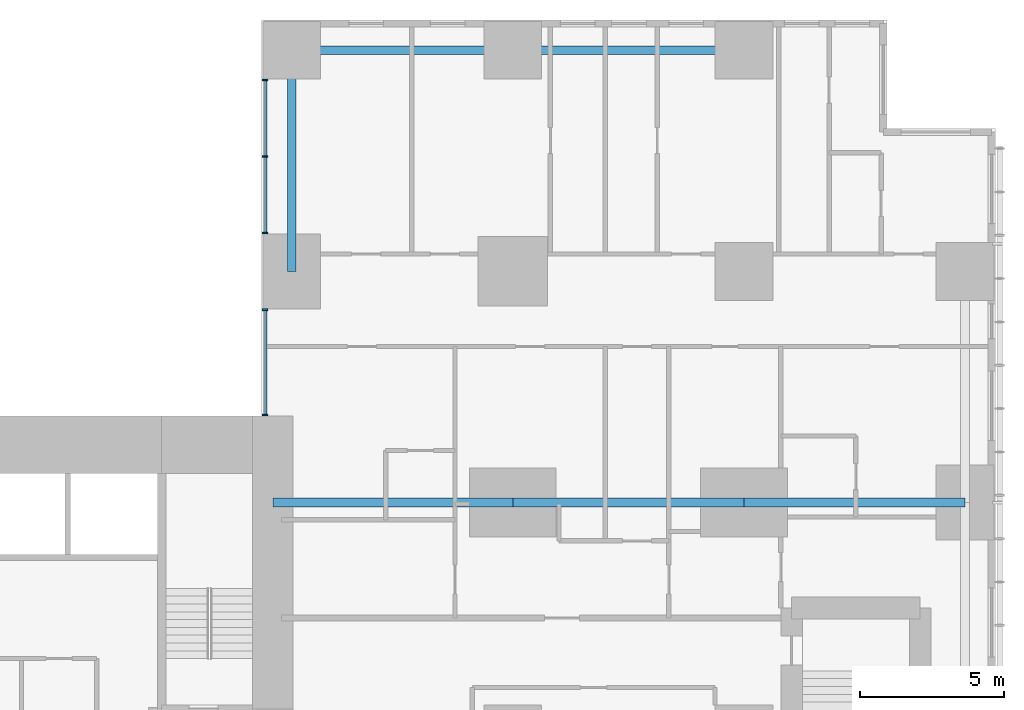
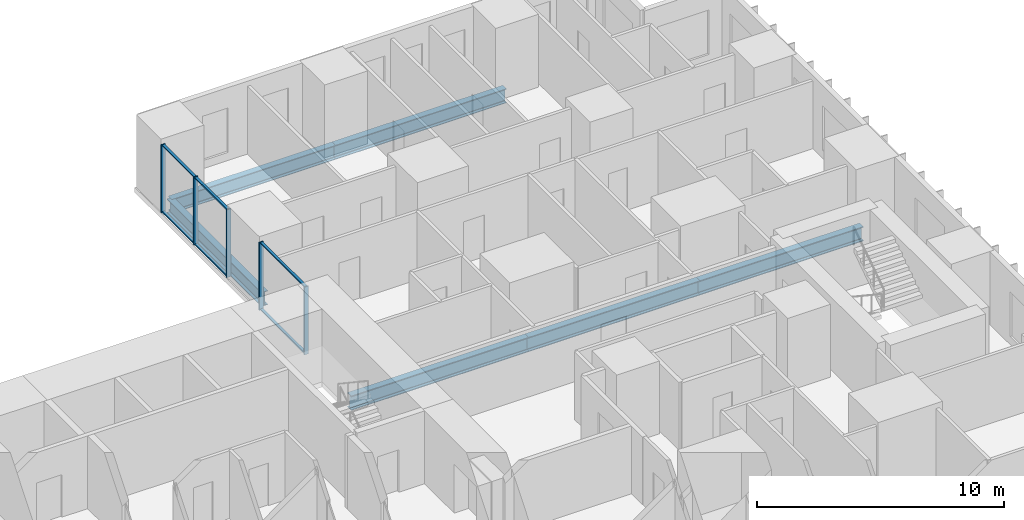
# One storey, part 5 of 20: 11 members, 6 beams, 2 elements without a shape of their own.
"""IFC4 building model written with IfcOpenShell, lengths in metres."""

from ifc_helpers import new_model, si_unit, direction, frame, origin, origin_2d, place, context, subcontext, project, spatial, rectangle, i_section, extrude, material, layer, layer_set, material_profile, profile_set, type_object, element, aggregate, save


model = new_model("IFC4")

# Units and contexts
model_context = context("Model", 3, precision=1e-05, world=origin(), true_north=direction((0.0, 1.0)))
body_context = subcontext(model_context, "Body", "Model", "MODEL_VIEW")
ifc_project = project(units=[si_unit("LENGTHUNIT", "METRE"), si_unit("AREAUNIT", "SQUARE_METRE"), si_unit("VOLUMEUNIT", "CUBIC_METRE"), si_unit("PLANEANGLEUNIT", "RADIAN"), si_unit("MASSUNIT", "GRAM", prefix="KILO")], contexts=[model_context])

# Site, building, storey
site_placement = place(None, origin())
site = spatial("IfcSite", under=ifc_project, at=site_placement, CompositionType="ELEMENT")
building_placement = place(site_placement, origin())
building = spatial("IfcBuilding", under=site, at=building_placement, Name="Cleftline Residences", CompositionType="ELEMENT")
storey_placement = place(building_placement, frame((0.0, 0.0, 139.39990234375)))
storey = spatial("IfcBuildingStorey", under=building, at=storey_placement, Name="L36", CompositionType="ELEMENT", Elevation=139.39990234375)

# Beams
ifc_material_1 = material(Name="Steel S355", Category="steel")
ifc_material_profile_1 = material_profile(ifc_material_1, i_section(OverallWidth=0.300048828125, OverallDepth=0.699951171875, WebThickness=0.01708984375, FlangeThickness=0.031982421875, FilletRadius=0.027099609375, at=origin_2d()))
ifc_profile_set_1 = profile_set([ifc_material_profile_1], Name="Steel S355")
beam_type_1 = type_object("IfcBeamType", Name="BEAM HEB 700", PredefinedType="BEAM", material=ifc_profile_set_1)
beam_1_placement = place(storey_placement, frame((58.0, 47.64990234375, -0.599853515625), z_axis=(-1.0, 0.0, 0.0), x_axis=(0.0, -1.0, 0.0)))
element("IfcBeam", 1, at=beam_1_placement, inside=storey, type_object=beam_type_1, Name="Edge beam", PredefinedType="BEAM", context=body_context, shape_type="SweptSolid", body=[
    extrude(i_section(OverallWidth=0.300048828125, OverallDepth=0.699951171875, WebThickness=0.01708984375, FlangeThickness=0.031982421875, FilletRadius=0.027099609375, at=origin_2d()), origin(), (0.0, 0.0, 1.0), 8.0),
])
for number, where, z_axis, x_axis, name in (
    (2, (50.0, 47.64990234375, -0.599853515625), (-1.0, 0.0, 0.0), (0.0, -1.0, 0.0), "Edge beam"),
    (3, (42.35009765625, 47.64990234375, -0.599853515625), (0.0, -1.0, 0.0), (1.0, 0.0, 0.0), "Edge beam"),
):
    element("IfcBeam", number, at=place(storey_placement, frame(where, z_axis=z_axis, x_axis=x_axis)), inside=storey, type_object=beam_type_1, Name=name, PredefinedType="BEAM", context=body_context, shape_type="SweptSolid", body=[
        extrude(i_section(OverallWidth=0.300048828125, OverallDepth=0.699951171875, WebThickness=0.01708984375, FlangeThickness=0.031982421875, FilletRadius=0.027099609375, at=origin_2d()), origin(), (0.0, 0.0, 1.0), 7.64990234375),
    ])
ifc_material_2 = material(Name="Steel S355", Category="steel")
ifc_material_profile_2 = material_profile(ifc_material_2, i_section(OverallWidth=0.303955078125, OverallDepth=0.716064453125, WebThickness=0.02099609375, FlangeThickness=0.0400390625, FilletRadius=0.027099609375, at=origin_2d()))
ifc_profile_set_2 = profile_set([ifc_material_profile_2], Name="Steel S355")
beam_type_2 = type_object("IfcBeamType", Name="BEAM HEM 700", PredefinedType="BEAM", material=ifc_profile_set_2)
beam_2_placement = place(storey_placement, frame((65.64990234375, 32.0, -0.60791015625), z_axis=(-1.0, 0.0, 0.0), x_axis=(0.0, -1.0, 0.0)))
element("IfcBeam", 4, at=beam_2_placement, inside=storey, type_object=beam_type_2, Name="Band beam", PredefinedType="BEAM", context=body_context, shape_type="SweptSolid", body=[
    extrude(i_section(OverallWidth=0.303955078125, OverallDepth=0.716064453125, WebThickness=0.02099609375, FlangeThickness=0.0400390625, FilletRadius=0.027099609375, at=origin_2d()), origin(), (0.0, 0.0, 1.0), 7.64990234375),
])
beam_3_placement = place(storey_placement, frame((58.0, 32.0, -0.60791015625), z_axis=(-1.0, 0.0, 0.0), x_axis=(0.0, -1.0, 0.0)))
element("IfcBeam", 5, at=beam_3_placement, inside=storey, type_object=beam_type_2, Name="Band beam", PredefinedType="BEAM", context=body_context, shape_type="SweptSolid", body=[
    extrude(i_section(OverallWidth=0.303955078125, OverallDepth=0.716064453125, WebThickness=0.02099609375, FlangeThickness=0.0400390625, FilletRadius=0.027099609375, at=origin_2d()), origin(), (0.0, 0.0, 1.0), 8.0),
])
beam_4_placement = place(storey_placement, frame((50.0, 32.0, -0.60791015625), z_axis=(-1.0, 0.0, 0.0), x_axis=(0.0, -1.0, 0.0)))
element("IfcBeam", 6, at=beam_4_placement, inside=storey, type_object=beam_type_2, Name="Band beam", PredefinedType="BEAM", context=body_context, shape_type="SweptSolid", body=[
    extrude(i_section(OverallWidth=0.303955078125, OverallDepth=0.716064453125, WebThickness=0.02099609375, FlangeThickness=0.0400390625, FilletRadius=0.027099609375, at=origin_2d()), origin(), (0.0, 0.0, 1.0), 8.300048828125),
])

# Curtain wall, members
ifc_material_3 = material(Name="Aluminium framed curtain wall", Category="aluminium")
ifc_layer = layer(ifc_material_3, 0.199951171875)
ifc_layer_set = layer_set([ifc_layer], Name="CW1 CLEFT GLAZING")
curtain_wall_type = type_object("IfcCurtainWallType", Name="CW1 CLEFT GLAZING", PredefinedType="NOTDEFINED", material=ifc_layer_set)
curtain_wall_1_placement = place(storey_placement, origin())
curtain_wall_1 = element("IfcCurtainWall", 7, at=curtain_wall_1_placement, inside=storey, type_object=curtain_wall_type, Name="Curtain wall CW1", PredefinedType="NOTDEFINED")
ifc_material_4 = material(Name="Aluminium mullion", Category="aluminium")
ifc_material_profile_3 = material_profile(ifc_material_4, rectangle(XDim=0.199951171875, YDim=0.06005859375, at=origin_2d()))
ifc_profile_set_3 = profile_set([ifc_material_profile_3], Name="Aluminium mullion")
member_type_1 = type_object("IfcMemberType", Name="CW1 MULLION", PredefinedType="MULLION", material=ifc_profile_set_3)
member_1_placement = place(storey_placement, frame((41.425048828125, 46.6201171875, 0.0), z_axis=(0.0, 0.0, 1.0), x_axis=(1.0, 0.0, 0.0)))
member_1 = element("IfcMember", 8, at=member_1_placement, type_object=member_type_1, Name="CW1 mullion 1", PredefinedType="MULLION", context=body_context, shape_type="SweptSolid", body=[
    extrude(rectangle(XDim=0.199951171875, YDim=0.06005859375, at=origin_2d()), origin(), (0.0, 0.0, 1.0), 3.35009765625),
])
member_2_placement = place(storey_placement, frame((41.425048828125, 43.97509765625, 0.0), z_axis=(0.0, 0.0, 1.0), x_axis=(1.0, 0.0, 0.0)))
member_2 = element("IfcMember", 9, at=member_2_placement, type_object=member_type_1, Name="CW1 mullion 2", PredefinedType="MULLION", context=body_context, shape_type="SweptSolid", body=[
    extrude(rectangle(XDim=0.199951171875, YDim=0.06005859375, at=origin_2d()), origin(), (0.0, 0.0, 1.0), 3.35009765625),
])
member_3_placement = place(storey_placement, frame((41.425048828125, 41.330078125, 0.0), z_axis=(0.0, 0.0, 1.0), x_axis=(1.0, 0.0, 0.0)))
member_3 = element("IfcMember", 10, at=member_3_placement, type_object=member_type_1, Name="CW1 mullion 3", PredefinedType="MULLION", context=body_context, shape_type="SweptSolid", body=[
    extrude(rectangle(XDim=0.199951171875, YDim=0.06005859375, at=origin_2d()), origin(), (0.0, 0.0, 1.0), 3.35009765625),
])

curtain_wall_2_placement = place(storey_placement, origin())
curtain_wall_2 = element("IfcCurtainWall", 11, at=curtain_wall_2_placement, inside=storey, type_object=curtain_wall_type, Name="Curtain wall CW1", PredefinedType="NOTDEFINED")
member_4_placement = place(storey_placement, frame((41.425048828125, 38.669921875, 0.0), z_axis=(0.0, 0.0, 1.0), x_axis=(1.0, 0.0, 0.0)))
member_4 = element("IfcMember", 12, at=member_4_placement, type_object=member_type_1, Name="CW1 mullion 1", PredefinedType="MULLION", context=body_context, shape_type="SweptSolid", body=[
    extrude(rectangle(XDim=0.199951171875, YDim=0.06005859375, at=origin_2d()), origin(), (0.0, 0.0, 1.0), 3.35009765625),
])
member_5_placement = place(storey_placement, frame((41.425048828125, 35.030029296875, 0.0), z_axis=(0.0, 0.0, 1.0), x_axis=(1.0, 0.0, 0.0)))
member_5 = element("IfcMember", 13, at=member_5_placement, type_object=member_type_1, Name="CW1 mullion 2", PredefinedType="MULLION", context=body_context, shape_type="SweptSolid", body=[
    extrude(rectangle(XDim=0.199951171875, YDim=0.06005859375, at=origin_2d()), origin(), (0.0, 0.0, 1.0), 3.35009765625),
])

# Member
ifc_material_5 = material(Name="Aluminium transom", Category="aluminium")
ifc_material_profile_4 = material_profile(ifc_material_5, rectangle(XDim=0.1201171875, YDim=0.06005859375, at=origin_2d()))
ifc_profile_set_4 = profile_set([ifc_material_profile_4], Name="Aluminium transom")
member_type_2 = type_object("IfcMemberType", Name="CW1 TRANSOM", PredefinedType="USERDEFINED", material=ifc_profile_set_4)
member_6_placement = place(storey_placement, frame((41.425048828125, 46.590087890625, 0.030029296875), z_axis=(0.0, -1.0, 0.0), x_axis=(1.0, 0.0, 0.0)))
member_6 = element("IfcMember", 14, at=member_6_placement, type_object=member_type_2, Name="CW1 transom 1.1", ObjectType="TRANSOM", PredefinedType="USERDEFINED", context=body_context, shape_type="SweptSolid", body=[
    extrude(rectangle(XDim=0.1201171875, YDim=0.06005859375, at=origin_2d()), origin(), (0.0, 0.0, 1.0), 2.585205078125),
])

member_7_placement = place(storey_placement, frame((41.425048828125, 46.590087890625, 3.320068359375), z_axis=(0.0, -1.0, 0.0), x_axis=(1.0, 0.0, 0.0)))
member_7 = element("IfcMember", 15, at=member_7_placement, type_object=member_type_2, Name="CW1 transom 1.2", ObjectType="TRANSOM", PredefinedType="USERDEFINED", context=body_context, shape_type="SweptSolid", body=[
    extrude(rectangle(XDim=0.1201171875, YDim=0.06005859375, at=origin_2d()), origin(), (0.0, 0.0, 1.0), 2.585205078125),
])

member_8_placement = place(storey_placement, frame((41.425048828125, 43.945068359375, 0.030029296875), z_axis=(0.0, -1.0, 0.0), x_axis=(1.0, 0.0, 0.0)))
member_8 = element("IfcMember", 16, at=member_8_placement, type_object=member_type_2, Name="CW1 transom 2.1", ObjectType="TRANSOM", PredefinedType="USERDEFINED", context=body_context, shape_type="SweptSolid", body=[
    extrude(rectangle(XDim=0.1201171875, YDim=0.06005859375, at=origin_2d()), origin(), (0.0, 0.0, 1.0), 2.5849609375),
])

member_9_placement = place(storey_placement, frame((41.425048828125, 43.945068359375, 3.320068359375), z_axis=(0.0, -1.0, 0.0), x_axis=(1.0, 0.0, 0.0)))
member_9 = element("IfcMember", 17, at=member_9_placement, type_object=member_type_2, Name="CW1 transom 2.2", ObjectType="TRANSOM", PredefinedType="USERDEFINED", context=body_context, shape_type="SweptSolid", body=[
    extrude(rectangle(XDim=0.1201171875, YDim=0.06005859375, at=origin_2d()), origin(), (0.0, 0.0, 1.0), 2.5849609375),
])

aggregate(curtain_wall_1, [member_1, member_2, member_3, member_6, member_7, member_8, member_9])

member_10_placement = place(storey_placement, frame((41.425048828125, 38.639892578125, 0.030029296875), z_axis=(0.0, -1.0, 0.0), x_axis=(1.0, 0.0, 0.0)))
member_10 = element("IfcMember", 18, at=member_10_placement, type_object=member_type_2, Name="CW1 transom 1.1", ObjectType="TRANSOM", PredefinedType="USERDEFINED", context=body_context, shape_type="SweptSolid", body=[
    extrude(rectangle(XDim=0.1201171875, YDim=0.06005859375, at=origin_2d()), origin(), (0.0, 0.0, 1.0), 3.579833984375),
])

member_11_placement = place(storey_placement, frame((41.425048828125, 38.639892578125, 3.320068359375), z_axis=(0.0, -1.0, 0.0), x_axis=(1.0, 0.0, 0.0)))
member_11 = element("IfcMember", 19, at=member_11_placement, type_object=member_type_2, Name="CW1 transom 1.2", ObjectType="TRANSOM", PredefinedType="USERDEFINED", context=body_context, shape_type="SweptSolid", body=[
    extrude(rectangle(XDim=0.1201171875, YDim=0.06005859375, at=origin_2d()), origin(), (0.0, 0.0, 1.0), 3.579833984375),
])

aggregate(curtain_wall_2, [member_4, member_5, member_10, member_11])

save(model, "model.ifc")
